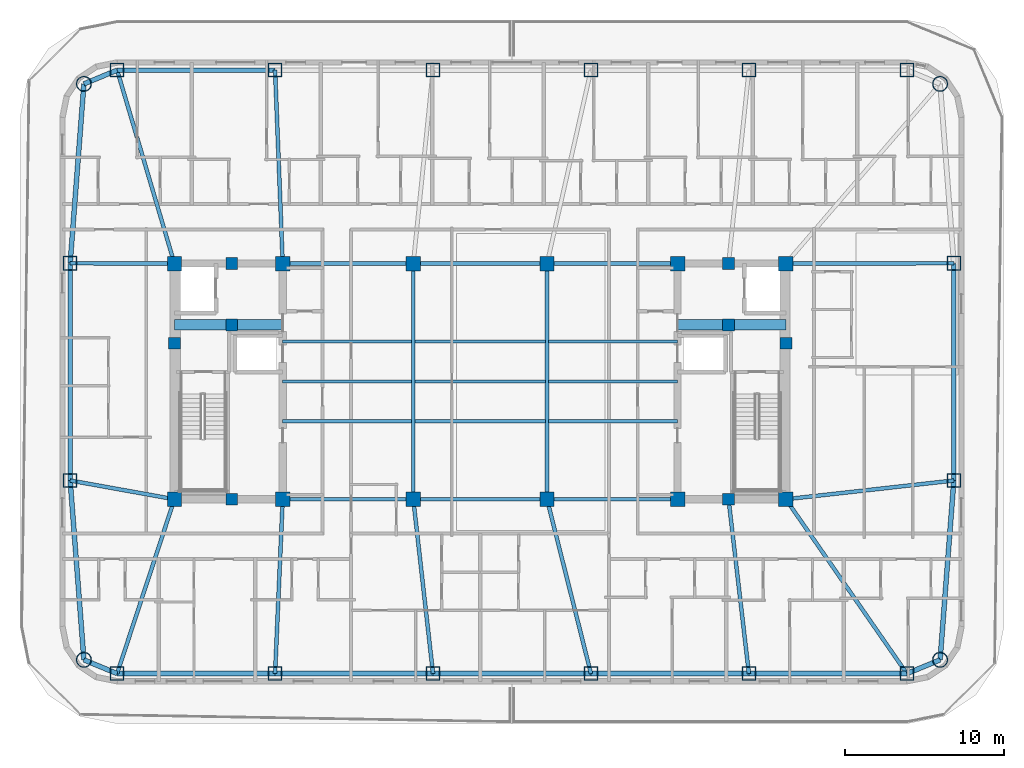
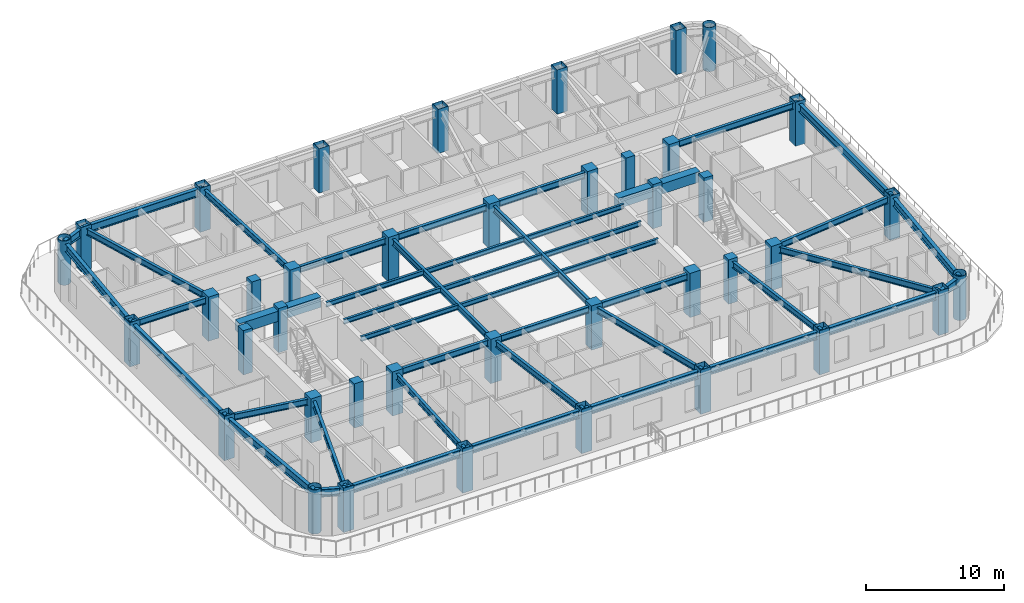
# One storey, part 1 of 15: 45 beams, 40 columns.
"""IFC4 building model written with IfcOpenShell, lengths in metres."""

from ifc_helpers import new_model, si_unit, direction, frame, origin, origin_2d, place, context, subcontext, project, spatial, rectangle, hollow_rectangle, hollow_circle, i_section, extrude, material, material_profile, profile_set, type_object, element, save


model = new_model("IFC4")

# Units and contexts
model_context = context("Model", 3, precision=1e-05, world=origin(), true_north=direction((0.0, 1.0)))
body_context = subcontext(model_context, "Body", "Model", "MODEL_VIEW")
ifc_project = project(units=[si_unit("LENGTHUNIT", "METRE"), si_unit("AREAUNIT", "SQUARE_METRE"), si_unit("VOLUMEUNIT", "CUBIC_METRE"), si_unit("PLANEANGLEUNIT", "RADIAN"), si_unit("MASSUNIT", "GRAM", prefix="KILO")], contexts=[model_context])

# Site, building, storey
site_placement = place(None, origin())
site = spatial("IfcSite", under=ifc_project, at=site_placement, CompositionType="ELEMENT")
building_placement = place(site_placement, origin())
building = spatial("IfcBuilding", under=site, at=building_placement, Name="Voryun Gate Residences", CompositionType="ELEMENT")
storey_placement = place(building_placement, frame((0.0, 0.0, 231.39990234375)))
storey = spatial("IfcBuildingStorey", under=building, at=storey_placement, Name="L57", CompositionType="ELEMENT", Elevation=231.39990234375)

# Columns
ifc_material_1 = material(Name="Concrete C50/60", Category="concrete")
ifc_material_profile_1 = material_profile(ifc_material_1, rectangle(XDim=0.75, YDim=0.75, at=origin_2d()), Name="RC-750x750")
ifc_profile_set_1 = profile_set([ifc_material_profile_1], Name="Concrete C50/60")
column_type_1 = type_object("IfcColumnType", Name="COL_CORE_750", PredefinedType="COLUMN", material=ifc_profile_set_1)
for number, where, z_axis, x_axis, name in (
    (1, (-19.199951171875, 2.39990234375, 0.0), (0.0, 0.0, 1.0), (1.0, 0.0, 0.0), "L57 Core boundary column WC-MW"),
    (2, (-15.60009765625, -7.39990234375, 0.0), (0.0, 0.0, 1.0), (1.0, 0.0, 0.0), "L57 Core boundary column WC-SM"),
    (3, (-15.60009765625, 7.39990234375, 0.0), (0.0, 0.0, 1.0), (1.0, 0.0, 0.0), "L57 Core boundary column WC-NM"),
    (4, (-15.60009765625, 3.550048828125, 0.0), (0.0, 0.0, 1.0), (1.0, 0.0, 0.0), "L57 Core boundary column WC-MM"),
    (5, (15.60009765625, 3.550048828125, 0.0), (0.0, 0.0, 1.0), (1.0, 0.0, 0.0), "L57 Core boundary column EC-MM"),
    (6, (15.60009765625, -7.39990234375, 0.0), (0.0, 0.0, 1.0), (1.0, 0.0, 0.0), "L57 Core boundary column EC-SM"),
    (7, (15.60009765625, 7.39990234375, 0.0), (0.0, 0.0, 1.0), (1.0, 0.0, 0.0), "L57 Core boundary column EC-NM"),
    (8, (19.199951171875, 2.39990234375, 0.0), (0.0, 0.0, 1.0), (1.0, 0.0, 0.0), "L57 Core boundary column EC-ME"),
):
    element("IfcColumn", number, at=place(storey_placement, frame(where, z_axis=z_axis, x_axis=x_axis)), inside=storey, type_object=column_type_1, Name=name, PredefinedType="COLUMN", context=body_context, shape_type="SweptSolid", body=[
        extrude(rectangle(XDim=0.75, YDim=0.75, at=origin_2d()), origin(), (0.0, 0.0, 1.0), 3.900146484375),
    ])
ifc_material_2 = material(Name="Concrete C50/60", Category="concrete")
ifc_material_profile_2 = material_profile(ifc_material_2, rectangle(XDim=0.89990234375, YDim=0.89990234375, at=origin_2d()), Name="RC-900x900")
ifc_profile_set_2 = profile_set([ifc_material_profile_2], Name="Concrete C50/60")
column_type_2 = type_object("IfcColumnType", Name="COL_CORE_900", PredefinedType="COLUMN", material=ifc_profile_set_2)
for number, where, z_axis, x_axis, name in (
    (9, (-19.199951171875, -7.39990234375, 0.0), (0.0, 0.0, 1.0), (1.0, 0.0, 0.0), "L57 Core boundary column WC-SW"),
    (10, (-19.199951171875, 7.39990234375, 0.0), (0.0, 0.0, 1.0), (1.0, 0.0, 0.0), "L57 Core boundary column WC-NW"),
    (11, (-12.39990234375, -7.39990234375, 0.0), (0.0, 0.0, 1.0), (1.0, 0.0, 0.0), "L57 Core boundary column WC-SE"),
    (12, (-12.39990234375, 7.39990234375, 0.0), (0.0, 0.0, 1.0), (1.0, 0.0, 0.0), "L57 Core boundary column WC-NE"),
    (13, (12.39990234375, -7.39990234375, 0.0), (0.0, 0.0, 1.0), (1.0, 0.0, 0.0), "L57 Core boundary column EC-SW"),
    (14, (12.39990234375, 7.39990234375, 0.0), (0.0, 0.0, 1.0), (1.0, 0.0, 0.0), "L57 Core boundary column EC-NW"),
    (15, (19.199951171875, -7.39990234375, 0.0), (0.0, 0.0, 1.0), (1.0, 0.0, 0.0), "L57 Core boundary column EC-SE"),
    (16, (19.199951171875, 7.39990234375, 0.0), (0.0, 0.0, 1.0), (1.0, 0.0, 0.0), "L57 Core boundary column EC-NE"),
    (17, (-4.199951171875, -7.39990234375, 0.0), (0.0, 0.0, 1.0), (1.0, 0.0, 0.0), "L57 Interior spine column SP-WS"),
    (18, (-4.199951171875, 7.39990234375, 0.0), (0.0, 0.0, 1.0), (1.0, 0.0, 0.0), "L57 Interior spine column SP-WN"),
    (19, (4.199951171875, -7.39990234375, 0.0), (0.0, 0.0, 1.0), (1.0, 0.0, 0.0), "L57 Interior spine column SP-ES"),
    (20, (4.199951171875, 7.39990234375, 0.0), (0.0, 0.0, 1.0), (1.0, 0.0, 0.0), "L57 Interior spine column SP-EN"),
):
    element("IfcColumn", number, at=place(storey_placement, frame(where, z_axis=z_axis, x_axis=x_axis)), inside=storey, type_object=column_type_2, Name=name, PredefinedType="COLUMN", context=body_context, shape_type="SweptSolid", body=[
        extrude(rectangle(XDim=0.89990234375, YDim=0.89990234375, at=origin_2d()), origin(), (0.0, 0.0, 1.0), 3.900146484375),
    ])
ifc_material_3 = material(Name="Steel SM420", Category="steel")
ifc_material_profile_3 = material_profile(ifc_material_3, hollow_circle(Radius=0.47509765625, WallThickness=0.031982421875, at=origin_2d()), Name="CHS-950x32")
ifc_profile_set_3 = profile_set([ifc_material_profile_3], Name="Steel SM420")
column_type_3 = type_object("IfcColumnType", Name="COL_CRN_950", PredefinedType="COLUMN", material=ifc_profile_set_3)
for number, where, z_axis, x_axis, name in (
    (21, (28.885986328125, -17.486083984375, 0.0), (0.0, 0.0, 1.0), (1.0, 0.0, 0.0), "L57 Exoskeleton column CSE"),
    (22, (28.885986328125, 18.68603515625, 0.0), (0.0, 0.0, 1.0), (1.0, 0.0, 0.0), "L57 Exoskeleton column CNE"),
    (23, (-24.885986328125, 18.68603515625, 0.0), (0.0, 0.0, 1.0), (1.0, 0.0, 0.0), "L57 Exoskeleton column CNW"),
    (24, (-24.885986328125, -17.486083984375, 0.0), (0.0, 0.0, 1.0), (1.0, 0.0, 0.0), "L57 Exoskeleton column CSW"),
):
    element("IfcColumn", number, at=place(storey_placement, frame(where, z_axis=z_axis, x_axis=x_axis)), inside=storey, type_object=column_type_3, Name=name, PredefinedType="COLUMN", context=body_context, shape_type="SweptSolid", body=[
        extrude(hollow_circle(Radius=0.47509765625, WallThickness=0.031982421875, at=origin_2d()), origin(), (0.0, 0.0, 1.0), 3.900146484375),
    ])
ifc_material_4 = material(Name="Steel SM355", Category="steel")
ifc_material_profile_4 = material_profile(ifc_material_4, hollow_rectangle(XDim=0.85009765625, YDim=0.85009765625, WallThickness=0.028076171875, at=origin_2d()), Name="BOX-850x850x28")
ifc_profile_set_4 = profile_set([ifc_material_profile_4], Name="Steel SM355")
column_type_4 = type_object("IfcColumnType", Name="COL_EXO_B4", PredefinedType="COLUMN", material=ifc_profile_set_4)
for number, where, z_axis, x_axis, name in (
    (25, (-22.800048828125, -18.35009765625, 0.0), (0.0, 0.0, 1.0), (1.0, 0.0, 0.0), "L57 Exoskeleton column S1"),
    (26, (-12.8798828125, -18.35009765625, 0.0), (0.0, 0.0, 1.0), (1.0, 0.0, 0.0), "L57 Exoskeleton column S2"),
    (27, (-2.9599609375, -18.35009765625, 0.0), (0.0, 0.0, 1.0), (1.0, 0.0, 0.0), "L57 Exoskeleton column S3"),
    (28, (6.9599609375, -18.35009765625, 0.0), (0.0, 0.0, 1.0), (1.0, 0.0, 0.0), "L57 Exoskeleton column S4"),
    (29, (16.8798828125, -18.35009765625, 0.0), (0.0, 0.0, 1.0), (1.0, 0.0, 0.0), "L57 Exoskeleton column S5"),
    (30, (26.800048828125, -18.35009765625, 0.0), (0.0, 0.0, 1.0), (1.0, 0.0, 0.0), "L57 Exoskeleton column S6"),
    (31, (29.75, -6.221923828125, 0.0), (0.0, 0.0, 1.0), (1.0, 0.0, 0.0), "L57 Exoskeleton column E1"),
    (32, (29.75, 7.422119140625, 0.0), (0.0, 0.0, 1.0), (1.0, 0.0, 0.0), "L57 Exoskeleton column E2"),
    (33, (26.800048828125, 19.550048828125, 0.0), (0.0, 0.0, 1.0), (1.0, 0.0, 0.0), "L57 Exoskeleton column N1"),
    (34, (16.8798828125, 19.550048828125, 0.0), (0.0, 0.0, 1.0), (1.0, 0.0, 0.0), "L57 Exoskeleton column N2"),
    (35, (6.9599609375, 19.550048828125, 0.0), (0.0, 0.0, 1.0), (1.0, 0.0, 0.0), "L57 Exoskeleton column N3"),
    (36, (-2.9599609375, 19.550048828125, 0.0), (0.0, 0.0, 1.0), (1.0, 0.0, 0.0), "L57 Exoskeleton column N4"),
    (37, (-12.8798828125, 19.550048828125, 0.0), (0.0, 0.0, 1.0), (1.0, 0.0, 0.0), "L57 Exoskeleton column N5"),
    (38, (-22.800048828125, 19.550048828125, 0.0), (0.0, 0.0, 1.0), (1.0, 0.0, 0.0), "L57 Exoskeleton column N6"),
    (39, (-25.75, 7.422119140625, 0.0), (0.0, 0.0, 1.0), (1.0, 0.0, 0.0), "L57 Exoskeleton column W1"),
    (40, (-25.75, -6.221923828125, 0.0), (0.0, 0.0, 1.0), (1.0, 0.0, 0.0), "L57 Exoskeleton column W2"),
):
    element("IfcColumn", number, at=place(storey_placement, frame(where, z_axis=z_axis, x_axis=x_axis)), inside=storey, type_object=column_type_4, Name=name, PredefinedType="COLUMN", context=body_context, shape_type="SweptSolid", body=[
        extrude(hollow_rectangle(XDim=0.85009765625, YDim=0.85009765625, WallThickness=0.028076171875, at=origin_2d()), origin(), (0.0, 0.0, 1.0), 3.900146484375),
    ])

# Beams
ifc_material_5 = material(Name="Concrete C60/75", Category="concrete")
ifc_material_profile_5 = material_profile(ifc_material_5, rectangle(XDim=0.64990234375, YDim=0.89990234375, at=origin_2d()), Name="RC-650x900")
ifc_profile_set_5 = profile_set([ifc_material_profile_5], Name="Concrete C60/75")
beam_type_1 = type_object("IfcBeamType", Name="BM_COUP_RC900", PredefinedType="LINTEL", material=ifc_profile_set_5)
for number, where, z_axis, x_axis, name in (
    (41, (-19.199951171875, 3.550048828125, 3.2001953125), (1.0, 0.0, 0.0), (0.0, 1.0, 0.0), "BM-L57-WC1"),
    (42, (12.39990234375, 3.550048828125, 3.2001953125), (1.0, 0.0, 0.0), (0.0, 1.0, 0.0), "BM-L57-EC1"),
):
    element("IfcBeam", number, at=place(storey_placement, frame(where, z_axis=z_axis, x_axis=x_axis)), inside=storey, type_object=beam_type_1, Name=name, PredefinedType="LINTEL", context=body_context, shape_type="SweptSolid", body=[
        extrude(rectangle(XDim=0.64990234375, YDim=0.89990234375, at=origin_2d()), origin(), (0.0, 0.0, 1.0), 6.800048828125),
    ])
ifc_material_6 = material(Name="Steel SM355", Category="steel")
ifc_material_profile_6 = material_profile(ifc_material_6, i_section(OverallWidth=0.300048828125, OverallDepth=0.679931640625, WebThickness=0.013916015625, FlangeThickness=0.02490234375, FilletRadius=0.01806640625, at=origin_2d()), Name="H-680x300x14x25")
ifc_profile_set_6 = profile_set([ifc_material_profile_6], Name="Steel SM355")
beam_type_2 = type_object("IfcBeamType", Name="BM_EXO_SPANDREL_M", PredefinedType="SPANDREL", material=ifc_profile_set_6)
beam_1_placement = place(storey_placement, frame((-22.800048828125, -18.35009765625, 3.31005859375), z_axis=(1.0, 0.0, 0.0), x_axis=(0.0, 1.0, 0.0)))
element("IfcBeam", 43, at=beam_1_placement, inside=storey, type_object=beam_type_2, Name="BM-L57-SPAND-01", PredefinedType="SPANDREL", context=body_context, shape_type="SweptSolid", body=[
    extrude(i_section(OverallWidth=0.300048828125, OverallDepth=0.679931640625, WebThickness=0.013916015625, FlangeThickness=0.02490234375, FilletRadius=0.01806640625, at=origin_2d()), origin(), (0.0, 0.0, 1.0), 9.920166015625),
])
for number, where, z_axis, x_axis, name in (
    (44, (-12.8798828125, -18.35009765625, 3.31005859375), (1.0, 0.0, 0.0), (0.0, 1.0, 0.0), "BM-L57-SPAND-02"),
    (45, (-2.9599609375, -18.35009765625, 3.31005859375), (1.0, 0.0, 0.0), (0.0, 1.0, 0.0), "BM-L57-SPAND-03"),
    (46, (6.9599609375, -18.35009765625, 3.31005859375), (1.0, 0.0, 0.0), (0.0, 1.0, 0.0), "BM-L57-SPAND-04"),
):
    element("IfcBeam", number, at=place(storey_placement, frame(where, z_axis=z_axis, x_axis=x_axis)), inside=storey, type_object=beam_type_2, Name=name, PredefinedType="SPANDREL", context=body_context, shape_type="SweptSolid", body=[
        extrude(i_section(OverallWidth=0.300048828125, OverallDepth=0.679931640625, WebThickness=0.013916015625, FlangeThickness=0.02490234375, FilletRadius=0.01806640625, at=origin_2d()), origin(), (0.0, 0.0, 1.0), 9.919921875),
    ])
beam_2_placement = place(storey_placement, frame((16.8798828125, -18.35009765625, 3.31005859375), z_axis=(1.0, 0.0, 0.0), x_axis=(0.0, 1.0, 0.0)))
element("IfcBeam", 47, at=beam_2_placement, inside=storey, type_object=beam_type_2, Name="BM-L57-SPAND-05", PredefinedType="SPANDREL", context=body_context, shape_type="SweptSolid", body=[
    extrude(i_section(OverallWidth=0.300048828125, OverallDepth=0.679931640625, WebThickness=0.013916015625, FlangeThickness=0.02490234375, FilletRadius=0.01806640625, at=origin_2d()), origin(), (0.0, 0.0, 1.0), 9.920166015625),
])
beam_3_placement = place(storey_placement, frame((26.800048828125, -18.35009765625, 3.31005859375), z_axis=(0.923881087602, 0.382679678022, 0.0), x_axis=(-0.382679678022, 0.923881087602, 0.0)))
element("IfcBeam", 48, at=beam_3_placement, inside=storey, type_object=beam_type_2, Name="BM-L57-SPAND-06", PredefinedType="SPANDREL", context=body_context, shape_type="SweptSolid", body=[
    extrude(i_section(OverallWidth=0.300048828125, OverallDepth=0.679931640625, WebThickness=0.013916015625, FlangeThickness=0.02490234375, FilletRadius=0.01806640625, at=origin_2d()), origin(), (0.0, 0.0, 1.0), 2.2578125),
])
beam_4_placement = place(storey_placement, frame((28.885986328125, -17.486083984375, 3.31005859375), z_axis=(0.076480009441, 0.997071114894, 0.0), x_axis=(-0.997071114894, 0.076480009441, 0.0)))
element("IfcBeam", 49, at=beam_4_placement, inside=storey, type_object=beam_type_2, Name="BM-L57-SPAND-07", PredefinedType="SPANDREL", context=body_context, shape_type="SweptSolid", body=[
    extrude(i_section(OverallWidth=0.300048828125, OverallDepth=0.679931640625, WebThickness=0.013916015625, FlangeThickness=0.02490234375, FilletRadius=0.01806640625, at=origin_2d()), origin(), (0.0, 0.0, 1.0), 11.29736328125),
])
beam_5_placement = place(storey_placement, frame((29.75, -6.221923828125, 3.31005859375), z_axis=(0.0, 1.0, 0.0), x_axis=(-1.0, 0.0, 0.0)))
element("IfcBeam", 50, at=beam_5_placement, inside=storey, type_object=beam_type_2, Name="BM-L57-SPAND-08", PredefinedType="SPANDREL", context=body_context, shape_type="SweptSolid", body=[
    extrude(i_section(OverallWidth=0.300048828125, OverallDepth=0.679931640625, WebThickness=0.013916015625, FlangeThickness=0.02490234375, FilletRadius=0.01806640625, at=origin_2d()), origin(), (0.0, 0.0, 1.0), 13.64404296875),
])
beam_6_placement = place(storey_placement, frame((-12.8798828125, 19.550048828125, 3.31005859375), z_axis=(-1.0, 0.0, 0.0), x_axis=(0.0, -1.0, 0.0)))
element("IfcBeam", 51, at=beam_6_placement, inside=storey, type_object=beam_type_2, Name="BM-L57-SPAND-15", PredefinedType="SPANDREL", context=body_context, shape_type="SweptSolid", body=[
    extrude(i_section(OverallWidth=0.300048828125, OverallDepth=0.679931640625, WebThickness=0.013916015625, FlangeThickness=0.02490234375, FilletRadius=0.01806640625, at=origin_2d()), origin(), (0.0, 0.0, 1.0), 9.920166015625),
])
beam_7_placement = place(storey_placement, frame((-22.800048828125, 19.550048828125, 3.31005859375), z_axis=(-0.923881087602, -0.382679678022, 0.0), x_axis=(0.382679678022, -0.923881087602, 0.0)))
element("IfcBeam", 52, at=beam_7_placement, inside=storey, type_object=beam_type_2, Name="BM-L57-SPAND-16", PredefinedType="SPANDREL", context=body_context, shape_type="SweptSolid", body=[
    extrude(i_section(OverallWidth=0.300048828125, OverallDepth=0.679931640625, WebThickness=0.013916015625, FlangeThickness=0.02490234375, FilletRadius=0.01806640625, at=origin_2d()), origin(), (0.0, 0.0, 1.0), 2.2578125),
])
beam_8_placement = place(storey_placement, frame((-24.885986328125, 18.68603515625, 3.31005859375), z_axis=(-0.076481657417, -0.997070988485, 0.0), x_axis=(0.997070988485, -0.076481657417, 0.0)))
element("IfcBeam", 53, at=beam_8_placement, inside=storey, type_object=beam_type_2, Name="BM-L57-SPAND-17", PredefinedType="SPANDREL", context=body_context, shape_type="SweptSolid", body=[
    extrude(i_section(OverallWidth=0.300048828125, OverallDepth=0.679931640625, WebThickness=0.013916015625, FlangeThickness=0.02490234375, FilletRadius=0.01806640625, at=origin_2d()), origin(), (0.0, 0.0, 1.0), 11.297119140625),
])
beam_9_placement = place(storey_placement, frame((-25.75, 7.422119140625, 3.31005859375), z_axis=(0.0, -1.0, 0.0), x_axis=(1.0, 0.0, 0.0)))
element("IfcBeam", 54, at=beam_9_placement, inside=storey, type_object=beam_type_2, Name="BM-L57-SPAND-18", PredefinedType="SPANDREL", context=body_context, shape_type="SweptSolid", body=[
    extrude(i_section(OverallWidth=0.300048828125, OverallDepth=0.679931640625, WebThickness=0.013916015625, FlangeThickness=0.02490234375, FilletRadius=0.01806640625, at=origin_2d()), origin(), (0.0, 0.0, 1.0), 13.64404296875),
])
beam_10_placement = place(storey_placement, frame((-25.75, -6.221923828125, 3.31005859375), z_axis=(0.076480009441, -0.997071114894, 0.0), x_axis=(0.997071114894, 0.076480009441, 0.0)))
element("IfcBeam", 55, at=beam_10_placement, inside=storey, type_object=beam_type_2, Name="BM-L57-SPAND-19", PredefinedType="SPANDREL", context=body_context, shape_type="SweptSolid", body=[
    extrude(i_section(OverallWidth=0.300048828125, OverallDepth=0.679931640625, WebThickness=0.013916015625, FlangeThickness=0.02490234375, FilletRadius=0.01806640625, at=origin_2d()), origin(), (0.0, 0.0, 1.0), 11.29736328125),
])
beam_11_placement = place(storey_placement, frame((-24.885986328125, -17.486083984375, 3.31005859375), z_axis=(0.923881087602, -0.382679678022, 0.0), x_axis=(0.382679678022, 0.923881087602, 0.0)))
element("IfcBeam", 56, at=beam_11_placement, inside=storey, type_object=beam_type_2, Name="BM-L57-SPAND-20", PredefinedType="SPANDREL", context=body_context, shape_type="SweptSolid", body=[
    extrude(i_section(OverallWidth=0.300048828125, OverallDepth=0.679931640625, WebThickness=0.013916015625, FlangeThickness=0.02490234375, FilletRadius=0.01806640625, at=origin_2d()), origin(), (0.0, 0.0, 1.0), 2.2578125),
])
ifc_material_7 = material(Name="Steel SM355", Category="steel")
ifc_material_profile_7 = material_profile(ifc_material_7, i_section(OverallWidth=0.239990234375, OverallDepth=0.550048828125, WebThickness=0.011962890625, FlangeThickness=0.02001953125, FilletRadius=0.01806640625, at=origin_2d()), Name="H-550x240x12x20")
ifc_profile_set_7 = profile_set([ifc_material_profile_7], Name="Steel SM355")
beam_type_3 = type_object("IfcBeamType", Name="BM_GIRD_550", PredefinedType="USERDEFINED", material=ifc_profile_set_7)
beam_12_placement = place(storey_placement, frame((-12.39990234375, -7.39990234375, 3.375), z_axis=(1.0, 0.0, 0.0), x_axis=(0.0, 1.0, 0.0)))
element("IfcBeam", 57, at=beam_12_placement, inside=storey, type_object=beam_type_3, Name="BM-L57-SPG1-S", ObjectType="GIRDER", PredefinedType="USERDEFINED", context=body_context, shape_type="SweptSolid", body=[
    extrude(i_section(OverallWidth=0.239990234375, OverallDepth=0.550048828125, WebThickness=0.011962890625, FlangeThickness=0.02001953125, FilletRadius=0.01806640625, at=origin_2d()), origin(), (0.0, 0.0, 1.0), 8.199951171875),
])
beam_13_placement = place(storey_placement, frame((-4.199951171875, -7.39990234375, 3.375), z_axis=(1.0, 0.0, 0.0), x_axis=(0.0, 1.0, 0.0)))
element("IfcBeam", 58, at=beam_13_placement, inside=storey, type_object=beam_type_3, Name="BM-L57-SPG2-S", ObjectType="GIRDER", PredefinedType="USERDEFINED", context=body_context, shape_type="SweptSolid", body=[
    extrude(i_section(OverallWidth=0.239990234375, OverallDepth=0.550048828125, WebThickness=0.011962890625, FlangeThickness=0.02001953125, FilletRadius=0.01806640625, at=origin_2d()), origin(), (0.0, 0.0, 1.0), 8.39990234375),
])
for number, where, z_axis, x_axis, name in (
    (59, (4.199951171875, -7.39990234375, 3.375), (1.0, 0.0, 0.0), (0.0, 1.0, 0.0), "BM-L57-SPG3-S"),
    (60, (-12.39990234375, 7.39990234375, 3.375), (1.0, 0.0, 0.0), (0.0, 1.0, 0.0), "BM-L57-SPG1-N"),
):
    element("IfcBeam", number, at=place(storey_placement, frame(where, z_axis=z_axis, x_axis=x_axis)), inside=storey, type_object=beam_type_3, Name=name, ObjectType="GIRDER", PredefinedType="USERDEFINED", context=body_context, shape_type="SweptSolid", body=[
        extrude(i_section(OverallWidth=0.239990234375, OverallDepth=0.550048828125, WebThickness=0.011962890625, FlangeThickness=0.02001953125, FilletRadius=0.01806640625, at=origin_2d()), origin(), (0.0, 0.0, 1.0), 8.199951171875),
    ])
beam_14_placement = place(storey_placement, frame((-4.199951171875, 7.39990234375, 3.375), z_axis=(1.0, 0.0, 0.0), x_axis=(0.0, 1.0, 0.0)))
element("IfcBeam", 61, at=beam_14_placement, inside=storey, type_object=beam_type_3, Name="BM-L57-SPG2-N", ObjectType="GIRDER", PredefinedType="USERDEFINED", context=body_context, shape_type="SweptSolid", body=[
    extrude(i_section(OverallWidth=0.239990234375, OverallDepth=0.550048828125, WebThickness=0.011962890625, FlangeThickness=0.02001953125, FilletRadius=0.01806640625, at=origin_2d()), origin(), (0.0, 0.0, 1.0), 8.39990234375),
])
beam_15_placement = place(storey_placement, frame((4.199951171875, 7.39990234375, 3.375), z_axis=(1.0, 0.0, 0.0), x_axis=(0.0, 1.0, 0.0)))
element("IfcBeam", 62, at=beam_15_placement, inside=storey, type_object=beam_type_3, Name="BM-L57-SPG3-N", ObjectType="GIRDER", PredefinedType="USERDEFINED", context=body_context, shape_type="SweptSolid", body=[
    extrude(i_section(OverallWidth=0.239990234375, OverallDepth=0.550048828125, WebThickness=0.011962890625, FlangeThickness=0.02001953125, FilletRadius=0.01806640625, at=origin_2d()), origin(), (0.0, 0.0, 1.0), 8.199951171875),
])
for number, where, z_axis, x_axis, name in (
    (63, (-4.199951171875, -7.39990234375, 3.375), (0.0, 1.0, 0.0), (-1.0, 0.0, 0.0), "BM-L57-SPX-W"),
    (64, (4.199951171875, -7.39990234375, 3.375), (0.0, 1.0, 0.0), (-1.0, 0.0, 0.0), "BM-L57-SPX-E"),
):
    element("IfcBeam", number, at=place(storey_placement, frame(where, z_axis=z_axis, x_axis=x_axis)), inside=storey, type_object=beam_type_3, Name=name, ObjectType="GIRDER", PredefinedType="USERDEFINED", context=body_context, shape_type="SweptSolid", body=[
        extrude(i_section(OverallWidth=0.239990234375, OverallDepth=0.550048828125, WebThickness=0.011962890625, FlangeThickness=0.02001953125, FilletRadius=0.01806640625, at=origin_2d()), origin(), (0.0, 0.0, 1.0), 14.7998046875),
    ])
beam_16_placement = place(storey_placement, frame((-19.199951171875, -7.39990234375, 3.375), z_axis=(-0.312323693326, -0.949975742104, 0.0), x_axis=(0.949975742104, -0.312323693326, 0.0)))
element("IfcBeam", 65, at=beam_16_placement, inside=storey, type_object=beam_type_3, Name="BM-L57-RAD-S1", ObjectType="GIRDER", PredefinedType="USERDEFINED", context=body_context, shape_type="SweptSolid", body=[
    extrude(i_section(OverallWidth=0.239990234375, OverallDepth=0.550048828125, WebThickness=0.011962890625, FlangeThickness=0.02001953125, FilletRadius=0.01806640625, at=origin_2d()), origin(), (0.0, 0.0, 1.0), 11.52685546875),
])
beam_17_placement = place(storey_placement, frame((-12.39990234375, -7.39990234375, 3.375), z_axis=(-0.043791002488, -0.999040713936, 0.0), x_axis=(0.999040713936, -0.043791002488, 0.0)))
element("IfcBeam", 66, at=beam_17_placement, inside=storey, type_object=beam_type_3, Name="BM-L57-RAD-S2", ObjectType="GIRDER", PredefinedType="USERDEFINED", context=body_context, shape_type="SweptSolid", body=[
    extrude(i_section(OverallWidth=0.239990234375, OverallDepth=0.550048828125, WebThickness=0.011962890625, FlangeThickness=0.02001953125, FilletRadius=0.01806640625, at=origin_2d()), origin(), (0.0, 0.0, 1.0), 10.960693359375),
])
beam_18_placement = place(storey_placement, frame((-4.199951171875, -7.39990234375, 3.375), z_axis=(0.112519968476, -0.993649463691, 0.0), x_axis=(0.993649463691, 0.112519968476, 0.0)))
element("IfcBeam", 67, at=beam_18_placement, inside=storey, type_object=beam_type_3, Name="BM-L57-RAD-S3", ObjectType="GIRDER", PredefinedType="USERDEFINED", context=body_context, shape_type="SweptSolid", body=[
    extrude(i_section(OverallWidth=0.239990234375, OverallDepth=0.550048828125, WebThickness=0.011962890625, FlangeThickness=0.02001953125, FilletRadius=0.01806640625, at=origin_2d()), origin(), (0.0, 0.0, 1.0), 11.020263671875),
])
beam_19_placement = place(storey_placement, frame((4.199951171875, -7.39990234375, 3.375), z_axis=(0.24440715799, -0.969672697936, 0.0), x_axis=(0.969672697936, 0.24440715799, 0.0)))
element("IfcBeam", 68, at=beam_19_placement, inside=storey, type_object=beam_type_3, Name="BM-L57-RAD-S4", ObjectType="GIRDER", PredefinedType="USERDEFINED", context=body_context, shape_type="SweptSolid", body=[
    extrude(i_section(OverallWidth=0.239990234375, OverallDepth=0.550048828125, WebThickness=0.011962890625, FlangeThickness=0.02001953125, FilletRadius=0.01806640625, at=origin_2d()), origin(), (0.0, 0.0, 1.0), 11.292724609375),
])
beam_20_placement = place(storey_placement, frame((15.60009765625, -7.39990234375, 3.375), z_axis=(0.116083150214, -0.993239498931, 0.0), x_axis=(0.993239498931, 0.116083150214, 0.0)))
element("IfcBeam", 69, at=beam_20_placement, inside=storey, type_object=beam_type_3, Name="BM-L57-RAD-S5", ObjectType="GIRDER", PredefinedType="USERDEFINED", context=body_context, shape_type="SweptSolid", body=[
    extrude(i_section(OverallWidth=0.239990234375, OverallDepth=0.550048828125, WebThickness=0.011962890625, FlangeThickness=0.02001953125, FilletRadius=0.01806640625, at=origin_2d()), origin(), (0.0, 0.0, 1.0), 11.024658203125),
])
beam_21_placement = place(storey_placement, frame((19.199951171875, -7.39990234375, 3.375), z_axis=(0.570182975489, -0.821517726201, 0.0), x_axis=(0.821517726201, 0.570182975489, 0.0)))
element("IfcBeam", 70, at=beam_21_placement, inside=storey, type_object=beam_type_3, Name="BM-L57-RAD-S6", ObjectType="GIRDER", PredefinedType="USERDEFINED", context=body_context, shape_type="SweptSolid", body=[
    extrude(i_section(OverallWidth=0.239990234375, OverallDepth=0.550048828125, WebThickness=0.011962890625, FlangeThickness=0.02001953125, FilletRadius=0.01806640625, at=origin_2d()), origin(), (0.0, 0.0, 1.0), 13.329345703125),
])
beam_22_placement = place(storey_placement, frame((19.199951171875, -7.39990234375, 3.375), z_axis=(0.993824131675, 0.110966640486, 0.0), x_axis=(-0.110966640486, 0.993824131675, 0.0)))
element("IfcBeam", 71, at=beam_22_placement, inside=storey, type_object=beam_type_3, Name="BM-L57-RAD-E1", ObjectType="GIRDER", PredefinedType="USERDEFINED", context=body_context, shape_type="SweptSolid", body=[
    extrude(i_section(OverallWidth=0.239990234375, OverallDepth=0.550048828125, WebThickness=0.011962890625, FlangeThickness=0.02001953125, FilletRadius=0.01806640625, at=origin_2d()), origin(), (0.0, 0.0, 1.0), 10.61572265625),
])
beam_23_placement = place(storey_placement, frame((19.199951171875, 7.39990234375, 3.375), z_axis=(0.99999778271, 0.002105843108, 0.0), x_axis=(-0.002105843108, 0.99999778271, 0.0)))
element("IfcBeam", 72, at=beam_23_placement, inside=storey, type_object=beam_type_3, Name="BM-L57-RAD-E2", ObjectType="GIRDER", PredefinedType="USERDEFINED", context=body_context, shape_type="SweptSolid", body=[
    extrude(i_section(OverallWidth=0.239990234375, OverallDepth=0.550048828125, WebThickness=0.011962890625, FlangeThickness=0.02001953125, FilletRadius=0.01806640625, at=origin_2d()), origin(), (0.0, 0.0, 1.0), 10.550048828125),
])
beam_24_placement = place(storey_placement, frame((-12.39990234375, 7.39990234375, 3.375), z_axis=(-0.039473300578, 0.999220625558, 0.0), x_axis=(-0.999220625558, -0.039473300578, 0.0)))
element("IfcBeam", 73, at=beam_24_placement, inside=storey, type_object=beam_type_3, Name="BM-L57-RAD-N5", ObjectType="GIRDER", PredefinedType="USERDEFINED", context=body_context, shape_type="SweptSolid", body=[
    extrude(i_section(OverallWidth=0.239990234375, OverallDepth=0.550048828125, WebThickness=0.011962890625, FlangeThickness=0.02001953125, FilletRadius=0.01806640625, at=origin_2d()), origin(), (0.0, 0.0, 1.0), 12.15966796875),
])
beam_25_placement = place(storey_placement, frame((-19.199951171875, 7.39990234375, 3.375), z_axis=(-0.284092265434, 0.958796946553, 0.0), x_axis=(-0.958796946553, -0.284092265434, 0.0)))
element("IfcBeam", 74, at=beam_25_placement, inside=storey, type_object=beam_type_3, Name="BM-L57-RAD-N6", ObjectType="GIRDER", PredefinedType="USERDEFINED", context=body_context, shape_type="SweptSolid", body=[
    extrude(i_section(OverallWidth=0.239990234375, OverallDepth=0.550048828125, WebThickness=0.011962890625, FlangeThickness=0.02001953125, FilletRadius=0.01806640625, at=origin_2d()), origin(), (0.0, 0.0, 1.0), 12.67236328125),
])
beam_26_placement = place(storey_placement, frame((-19.199951171875, 7.39990234375, 3.375), z_axis=(-0.999994247719, 0.003391832589, 0.0), x_axis=(-0.003391832589, -0.999994247719, 0.0)))
element("IfcBeam", 75, at=beam_26_placement, inside=storey, type_object=beam_type_3, Name="BM-L57-RAD-W1", ObjectType="GIRDER", PredefinedType="USERDEFINED", context=body_context, shape_type="SweptSolid", body=[
    extrude(i_section(OverallWidth=0.239990234375, OverallDepth=0.550048828125, WebThickness=0.011962890625, FlangeThickness=0.02001953125, FilletRadius=0.01806640625, at=origin_2d()), origin(), (0.0, 0.0, 1.0), 6.550048828125),
])
beam_27_placement = place(storey_placement, frame((-19.199951171875, -7.39990234375, 3.375), z_axis=(-0.984210303638, 0.177003045773, 0.0), x_axis=(-0.177003045773, -0.984210303638, 0.0)))
element("IfcBeam", 76, at=beam_27_placement, inside=storey, type_object=beam_type_3, Name="BM-L57-RAD-W2", ObjectType="GIRDER", PredefinedType="USERDEFINED", context=body_context, shape_type="SweptSolid", body=[
    extrude(i_section(OverallWidth=0.239990234375, OverallDepth=0.550048828125, WebThickness=0.011962890625, FlangeThickness=0.02001953125, FilletRadius=0.01806640625, at=origin_2d()), origin(), (0.0, 0.0, 1.0), 6.655029296875),
])
ifc_material_8 = material(Name="Steel SM355", Category="steel")
ifc_material_profile_8 = material_profile(ifc_material_8, i_section(OverallWidth=0.18994140625, OverallDepth=0.419921875, WebThickness=0.009033203125, FlangeThickness=0.01611328125, FilletRadius=0.01806640625, at=origin_2d()), Name="H-420x190x9x16")
ifc_profile_set_8 = profile_set([ifc_material_profile_8], Name="Steel SM355")
beam_type_4 = type_object("IfcBeamType", Name="BM_SEC_420", PredefinedType="BEAM", material=ifc_profile_set_8)
beam_28_placement = place(storey_placement, frame((-12.39990234375, -2.5, 3.440185546875), z_axis=(1.0, 0.0, 0.0), x_axis=(0.0, 1.0, 0.0)))
element("IfcBeam", 77, at=beam_28_placement, inside=storey, type_object=beam_type_4, Name="BM-L57-SEC-CS1", PredefinedType="BEAM", context=body_context, shape_type="SweptSolid", body=[
    extrude(i_section(OverallWidth=0.18994140625, OverallDepth=0.419921875, WebThickness=0.009033203125, FlangeThickness=0.01611328125, FilletRadius=0.01806640625, at=origin_2d()), origin(), (0.0, 0.0, 1.0), 8.099853515625),
])
beam_29_placement = place(storey_placement, frame((-4.10009765625, -2.5, 3.440185546875), z_axis=(1.0, 0.0, 0.0), x_axis=(0.0, 1.0, 0.0)))
element("IfcBeam", 78, at=beam_29_placement, inside=storey, type_object=beam_type_4, Name="BM-L57-SEC-CS2", PredefinedType="BEAM", context=body_context, shape_type="SweptSolid", body=[
    extrude(i_section(OverallWidth=0.18994140625, OverallDepth=0.419921875, WebThickness=0.009033203125, FlangeThickness=0.01611328125, FilletRadius=0.01806640625, at=origin_2d()), origin(), (0.0, 0.0, 1.0), 8.2001953125),
])
for number, where, z_axis, x_axis, name in (
    (79, (4.300048828125, -2.5, 3.440185546875), (1.0, 0.0, 0.0), (0.0, 1.0, 0.0), "BM-L57-SEC-CS3"),
    (80, (-12.39990234375, 0.0, 3.440185546875), (1.0, 0.0, 0.0), (0.0, 1.0, 0.0), "BM-L57-SEC-CM1"),
):
    element("IfcBeam", number, at=place(storey_placement, frame(where, z_axis=z_axis, x_axis=x_axis)), inside=storey, type_object=beam_type_4, Name=name, PredefinedType="BEAM", context=body_context, shape_type="SweptSolid", body=[
        extrude(i_section(OverallWidth=0.18994140625, OverallDepth=0.419921875, WebThickness=0.009033203125, FlangeThickness=0.01611328125, FilletRadius=0.01806640625, at=origin_2d()), origin(), (0.0, 0.0, 1.0), 8.099853515625),
    ])
beam_30_placement = place(storey_placement, frame((-4.10009765625, 0.0, 3.440185546875), z_axis=(1.0, 0.0, 0.0), x_axis=(0.0, 1.0, 0.0)))
element("IfcBeam", 81, at=beam_30_placement, inside=storey, type_object=beam_type_4, Name="BM-L57-SEC-CM2", PredefinedType="BEAM", context=body_context, shape_type="SweptSolid", body=[
    extrude(i_section(OverallWidth=0.18994140625, OverallDepth=0.419921875, WebThickness=0.009033203125, FlangeThickness=0.01611328125, FilletRadius=0.01806640625, at=origin_2d()), origin(), (0.0, 0.0, 1.0), 8.2001953125),
])
for number, where, z_axis, x_axis, name in (
    (82, (4.300048828125, 0.0, 3.440185546875), (1.0, 0.0, 0.0), (0.0, 1.0, 0.0), "BM-L57-SEC-CM3"),
    (83, (-12.39990234375, 2.5, 3.440185546875), (1.0, 0.0, 0.0), (0.0, 1.0, 0.0), "BM-L57-SEC-CN1"),
):
    element("IfcBeam", number, at=place(storey_placement, frame(where, z_axis=z_axis, x_axis=x_axis)), inside=storey, type_object=beam_type_4, Name=name, PredefinedType="BEAM", context=body_context, shape_type="SweptSolid", body=[
        extrude(i_section(OverallWidth=0.18994140625, OverallDepth=0.419921875, WebThickness=0.009033203125, FlangeThickness=0.01611328125, FilletRadius=0.01806640625, at=origin_2d()), origin(), (0.0, 0.0, 1.0), 8.099853515625),
    ])
beam_31_placement = place(storey_placement, frame((-4.10009765625, 2.5, 3.440185546875), z_axis=(1.0, 0.0, 0.0), x_axis=(0.0, 1.0, 0.0)))
element("IfcBeam", 84, at=beam_31_placement, inside=storey, type_object=beam_type_4, Name="BM-L57-SEC-CN2", PredefinedType="BEAM", context=body_context, shape_type="SweptSolid", body=[
    extrude(i_section(OverallWidth=0.18994140625, OverallDepth=0.419921875, WebThickness=0.009033203125, FlangeThickness=0.01611328125, FilletRadius=0.01806640625, at=origin_2d()), origin(), (0.0, 0.0, 1.0), 8.2001953125),
])
beam_32_placement = place(storey_placement, frame((4.300048828125, 2.5, 3.440185546875), z_axis=(1.0, 0.0, 0.0), x_axis=(0.0, 1.0, 0.0)))
element("IfcBeam", 85, at=beam_32_placement, inside=storey, type_object=beam_type_4, Name="BM-L57-SEC-CN3", PredefinedType="BEAM", context=body_context, shape_type="SweptSolid", body=[
    extrude(i_section(OverallWidth=0.18994140625, OverallDepth=0.419921875, WebThickness=0.009033203125, FlangeThickness=0.01611328125, FilletRadius=0.01806640625, at=origin_2d()), origin(), (0.0, 0.0, 1.0), 8.099853515625),
])

save(model, "model.ifc")
